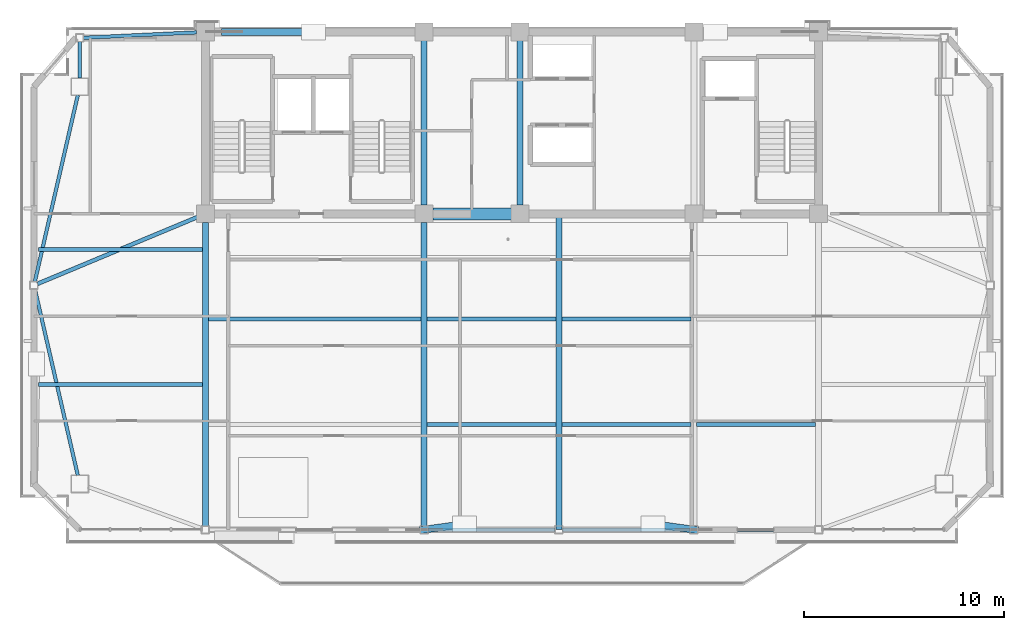
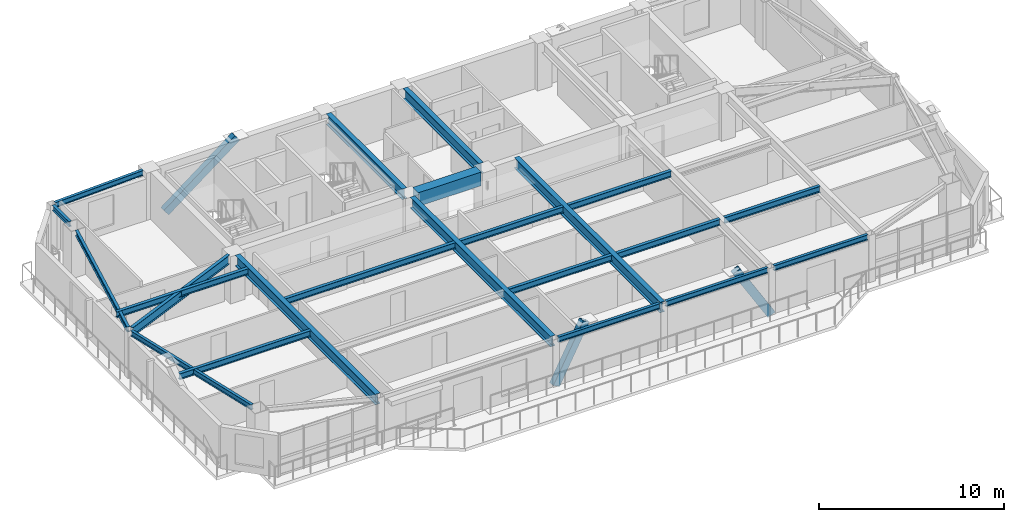
# One storey, part 3 of 13: 22 beams, 3 members.
"""IFC4 building model written with IfcOpenShell, lengths in metres."""

from ifc_helpers import new_model, si_unit, direction, frame, origin, origin_2d, place, context, subcontext, project, spatial, rectangle, hollow_rectangle, i_section, extrude, source, transform, mapped, material, material_profile, profile_set, type_object, element, save


model = new_model("IFC4")

# Units and contexts
model_context = context("Model", 3, precision=1e-05, world=origin(), true_north=direction((0.0, 1.0)))
body_context = subcontext(model_context, "Body", "Model", "MODEL_VIEW")
ifc_project = project(units=[si_unit("LENGTHUNIT", "METRE"), si_unit("AREAUNIT", "SQUARE_METRE"), si_unit("VOLUMEUNIT", "CUBIC_METRE"), si_unit("PLANEANGLEUNIT", "RADIAN"), si_unit("MASSUNIT", "GRAM", prefix="KILO")], contexts=[model_context])

# Site, building, storey
site_placement = place(None, origin())
site = spatial("IfcSite", under=ifc_project, at=site_placement, CompositionType="ELEMENT")
building_placement = place(site_placement, origin())
building = spatial("IfcBuilding", under=site, at=building_placement, Name="Giltprow Tower", CompositionType="ELEMENT")
storey_placement = place(building_placement, frame((0.0, 0.0, 324.39990234375)))
storey = spatial("IfcBuildingStorey", under=building, at=storey_placement, Name="L84", CompositionType="ELEMENT", Elevation=324.39990234375)

# Beams
ifc_material_1 = material(Name="Structural steel Q355B", Category="steel")
ifc_material_profile_1 = material_profile(ifc_material_1, i_section(OverallWidth=0.199951171875, OverallDepth=0.39990234375, WebThickness=0.008056640625, FlangeThickness=0.012939453125, at=origin_2d()), Name="HN 400x200x8x13")
ifc_profile_set_1 = profile_set([ifc_material_profile_1], Name="Structural steel Q355B")
beam_type_1 = type_object("IfcBeamType", Name="BM-JOIST-HN400", PredefinedType="JOIST", material=ifc_profile_set_1)
shared_shape_1 = source(origin(), body_context, "Body", "SweptSolid", [
    extrude(i_section(OverallWidth=0.199951171875, OverallDepth=0.39990234375, WebThickness=0.008056640625, FlangeThickness=0.012939453125, at=origin_2d()), origin(), (0.0, 0.0, 1.0), 10.659912109375),
])
beam_1_placement = place(storey_placement, frame((19.9951171875, 32.178955078125, 2.920166015625), z_axis=(1.0, 0.0, 0.0), x_axis=(0.0, 1.0, 0.0)))
element("IfcBeam", 1, at=beam_1_placement, inside=storey, type_object=beam_type_1, Name="L84 Composite Floor Joist 2-1", PredefinedType="JOIST", context=body_context, shape_type="MappedRepresentation", body=[
    mapped(shared_shape_1, transform((0.0, 0.0, 0.0), x_axis=(1.0, 0.0, 0.0), y_axis=(0.0, 1.0, 0.0), z_axis=(0.0, 0.0, 1.0), scale=1.0)),
])
shared_shape_2 = source(origin(), body_context, "Body", "SweptSolid", [
    extrude(i_section(OverallWidth=0.199951171875, OverallDepth=0.39990234375, WebThickness=0.008056640625, FlangeThickness=0.012939453125, at=origin_2d()), origin(), (0.0, 0.0, 1.0), 6.4599609375),
])
for number, where, z_axis, x_axis, name in (
    (2, (30.945068359375, 26.906982421875, 2.920166015625), (1.0, 0.0, 0.0), (0.0, 1.0, 0.0), "L84 Composite Floor Joist 1-2"),
    (3, (37.695068359375, 26.906982421875, 2.920166015625), (1.0, 0.0, 0.0), (0.0, 1.0, 0.0), "L84 Composite Floor Joist 1-3"),
    (4, (30.945068359375, 32.178955078125, 2.920166015625), (1.0, 0.0, 0.0), (0.0, 1.0, 0.0), "L84 Composite Floor Joist 2-2"),
    (5, (37.695068359375, 32.178955078125, 2.920166015625), (1.0, 0.0, 0.0), (0.0, 1.0, 0.0), "L84 Composite Floor Joist 2-3"),
):
    element("IfcBeam", number, at=place(storey_placement, frame(where, z_axis=z_axis, x_axis=x_axis)), inside=storey, type_object=beam_type_1, Name=name, PredefinedType="JOIST", context=body_context, shape_type="MappedRepresentation", body=[
        mapped(shared_shape_2, transform((0.0, 0.0, 0.0), x_axis=(1.0, 0.0, 0.0), y_axis=(0.0, 1.0, 0.0), z_axis=(0.0, 0.0, 1.0), scale=1.0)),
    ])
shared_shape_3 = source(origin(), body_context, "Body", "SweptSolid", [
    extrude(i_section(OverallWidth=0.199951171875, OverallDepth=0.39990234375, WebThickness=0.008056640625, FlangeThickness=0.012939453125, at=origin_2d()), origin(), (0.0, 0.0, 1.0), 5.9599609375),
])
beam_2_placement = place(storey_placement, frame((44.445068359375, 26.906982421875, 2.920166015625), z_axis=(1.0, 0.0, 0.0), x_axis=(0.0, 1.0, 0.0)))
element("IfcBeam", 6, at=beam_2_placement, inside=storey, type_object=beam_type_1, Name="L84 Composite Floor Joist 1-4", PredefinedType="JOIST", context=body_context, shape_type="MappedRepresentation", body=[
    mapped(shared_shape_3, transform((0.0, 0.0, 0.0), x_axis=(1.0, 0.0, 0.0), y_axis=(0.0, 1.0, 0.0), z_axis=(0.0, 0.0, 1.0), scale=1.0)),
])
ifc_material_2 = material(Name="Concrete C50", Category="concrete")
ifc_material_profile_2 = material_profile(ifc_material_2, rectangle(XDim=0.60009765625, YDim=0.89990234375, at=origin_2d()), Name="RC 900x600")
ifc_profile_set_2 = profile_set([ifc_material_profile_2], Name="Concrete C50")
beam_type_2 = type_object("IfcBeamType", Name="BM-CPL-RC900", PredefinedType="LINTEL", material=ifc_profile_set_2)
shared_shape_4 = source(origin(), body_context, "Body", "SweptSolid", [
    extrude(rectangle(XDim=0.60009765625, YDim=0.89990234375, at=origin_2d()), origin(), (0.0, 0.0, 1.0), 3.929931640625),
])
beam_3_placement = place(storey_placement, frame((31.235107421875, 37.449951171875, 2.670166015625), z_axis=(1.0, 0.0, 0.0), x_axis=(0.0, 1.0, 0.0)))
element("IfcBeam", 7, at=beam_3_placement, inside=storey, type_object=beam_type_2, Name="L84 Core Coupling Beam CB-1", PredefinedType="LINTEL", context=body_context, shape_type="MappedRepresentation", body=[
    mapped(shared_shape_4, transform((0.0, 0.0, 0.0), x_axis=(1.0, 0.0, 0.0), y_axis=(0.0, 1.0, 0.0), z_axis=(0.0, 0.0, 1.0), scale=1.0)),
])
ifc_material_profile_3 = material_profile(ifc_material_1, i_section(OverallWidth=0.300048828125, OverallDepth=0.699951171875, WebThickness=0.012939453125, FlangeThickness=0.02392578125, at=origin_2d()), Name="HN 700x300x13x24")
ifc_profile_set_3 = profile_set([ifc_material_profile_3], Name="Structural steel Q355B")
beam_type_3 = type_object("IfcBeamType", Name="BM-GIRD-HN700", PredefinedType="BEAM", material=ifc_profile_set_3)
shared_shape_5 = source(origin(), body_context, "Body", "SweptSolid", [
    extrude(i_section(OverallWidth=0.300048828125, OverallDepth=0.699951171875, WebThickness=0.012939453125, FlangeThickness=0.02392578125, at=origin_2d()), origin(), (0.0, 0.0, 1.0), 8.22998046875),
])
for number, where, z_axis, x_axis, name in (
    (8, (30.800048828125, 37.885009765625, 2.77001953125), (0.0, 1.0, 0.0), (-1.0, 0.0, 0.0), "L84 Core Tie Girder M1"),
    (9, (35.60009765625, 37.885009765625, 2.77001953125), (0.0, 1.0, 0.0), (-1.0, 0.0, 0.0), "L84 Core Tie Girder M2"),
):
    element("IfcBeam", number, at=place(storey_placement, frame(where, z_axis=z_axis, x_axis=x_axis)), inside=storey, type_object=beam_type_3, Name=name, PredefinedType="BEAM", context=body_context, shape_type="MappedRepresentation", body=[
        mapped(shared_shape_5, transform((0.0, 0.0, 0.0), x_axis=(1.0, 0.0, 0.0), y_axis=(0.0, 1.0, 0.0), z_axis=(0.0, 0.0, 1.0), scale=1.0)),
    ])
ifc_material_profile_4 = material_profile(ifc_material_1, i_section(OverallWidth=0.175048828125, OverallDepth=0.35009765625, WebThickness=0.007080078125, FlangeThickness=0.010986328125, at=origin_2d()), Name="HN 350x175x7x11")
ifc_profile_set_4 = profile_set([ifc_material_profile_4], Name="Structural steel Q355B")
beam_type_4 = type_object("IfcBeamType", Name="BM-SPAN-HN350", PredefinedType="SPANDREL", material=ifc_profile_set_4)
shared_shape_6 = source(origin(), body_context, "Body", "SweptSolid", [
    extrude(i_section(OverallWidth=0.175048828125, OverallDepth=0.35009765625, WebThickness=0.007080078125, FlangeThickness=0.010986328125, at=origin_2d()), origin(), (0.0, 0.0, 1.0), 6.3798828125),
])
for number, where, z_axis, x_axis, name in (
    (10, (30.985107421875, 21.635986328125, 2.945068359375), (1.0, 0.0, 0.0), (0.0, 1.0, 0.0), "L84 Perimeter Spandrel Beam S2-S_MID"),
    (11, (37.735107421875, 21.635986328125, 2.945068359375), (1.0, 0.0, 0.0), (0.0, 1.0, 0.0), "L84 Perimeter Spandrel Beam S_MID-S3"),
):
    element("IfcBeam", number, at=place(storey_placement, frame(where, z_axis=z_axis, x_axis=x_axis)), inside=storey, type_object=beam_type_4, Name=name, PredefinedType="SPANDREL", context=body_context, shape_type="MappedRepresentation", body=[
        mapped(shared_shape_6, transform((0.0, 0.0, 0.0), x_axis=(1.0, 0.0, 0.0), y_axis=(0.0, 1.0, 0.0), z_axis=(0.0, 0.0, 1.0), scale=1.0)),
    ])
shared_shape_7 = source(origin(), body_context, "Body", "SweptSolid", [
    extrude(i_section(OverallWidth=0.175048828125, OverallDepth=0.35009765625, WebThickness=0.007080078125, FlangeThickness=0.010986328125, at=origin_2d()), origin(), (0.0, 0.0, 1.0), 5.8798828125),
])
beam_4_placement = place(storey_placement, frame((44.485107421875, 21.635986328125, 2.945068359375), z_axis=(1.0, 0.0, 0.0), x_axis=(0.0, 1.0, 0.0)))
element("IfcBeam", 12, at=beam_4_placement, inside=storey, type_object=beam_type_4, Name="L84 Perimeter Spandrel Beam S3-S4", PredefinedType="SPANDREL", context=body_context, shape_type="MappedRepresentation", body=[
    mapped(shared_shape_7, transform((0.0, 0.0, 0.0), x_axis=(1.0, 0.0, 0.0), y_axis=(0.0, 1.0, 0.0), z_axis=(0.0, 0.0, 1.0), scale=1.0)),
])
shared_shape_8 = source(origin(), body_context, "Body", "SweptSolid", [
    extrude(i_section(OverallWidth=0.175048828125, OverallDepth=0.35009765625, WebThickness=0.007080078125, FlangeThickness=0.010986328125, at=origin_2d()), origin(), (0.0, 0.0, 1.0), 9.580810546875),
])
for number, where, z_axis, x_axis, name in (
    (13, (13.464111328125, 43.384033203125, 2.945068359375), (-0.224626866527, -0.974444852639, 0.0), (0.974444852639, -0.224626866527, 0.0), "L84 Perimeter Spandrel Beam MC_NW-W_MID"),
    (14, (11.31201171875, 33.68798828125, 2.945068359375), (0.224626866527, -0.974444852639, 0.0), (0.974444852639, 0.224626866527, 0.0), "L84 Perimeter Spandrel Beam W_MID-MC_SW"),
):
    element("IfcBeam", number, at=place(storey_placement, frame(where, z_axis=z_axis, x_axis=x_axis)), inside=storey, type_object=beam_type_4, Name=name, PredefinedType="SPANDREL", context=body_context, shape_type="MappedRepresentation", body=[
        mapped(shared_shape_8, transform((0.0, 0.0, 0.0), x_axis=(1.0, 0.0, 0.0), y_axis=(0.0, 1.0, 0.0), z_axis=(0.0, 0.0, 1.0), scale=1.0)),
    ])
shared_shape_9 = source(origin(), body_context, "Body", "SweptSolid", [
    extrude(i_section(OverallWidth=0.175048828125, OverallDepth=0.35009765625, WebThickness=0.007080078125, FlangeThickness=0.010986328125, at=origin_2d()), origin(), (0.0, 0.0, 1.0), 1.822021484375),
])
beam_5_placement = place(storey_placement, frame((13.56201171875, 46.06494140625, 2.945068359375), z_axis=(0.0, -1.0, 0.0), x_axis=(1.0, 0.0, 0.0)))
element("IfcBeam", 15, at=beam_5_placement, inside=storey, type_object=beam_type_4, Name="L84 Perimeter Spandrel Beam N_W-MC_NW", PredefinedType="SPANDREL", context=body_context, shape_type="MappedRepresentation", body=[
    mapped(shared_shape_9, transform((0.0, 0.0, 0.0), x_axis=(1.0, 0.0, 0.0), y_axis=(0.0, 1.0, 0.0), z_axis=(0.0, 0.0, 1.0), scale=1.0)),
])
shared_shape_10 = source(origin(), body_context, "Body", "SweptSolid", [
    extrude(i_section(OverallWidth=0.175048828125, OverallDepth=0.35009765625, WebThickness=0.007080078125, FlangeThickness=0.010986328125, at=origin_2d()), origin(), (0.0, 0.0, 1.0), 5.67431640625),
])
beam_6_placement = place(storey_placement, frame((13.7470703125, 46.259033203125, 2.945068359375), z_axis=(0.9988671641, 0.047585591122, 0.0), x_axis=(-0.047585591122, 0.9988671641, 0.0)))
element("IfcBeam", 16, at=beam_6_placement, inside=storey, type_object=beam_type_4, Name="L84 North Wing Spandrel W", PredefinedType="SPANDREL", context=body_context, shape_type="MappedRepresentation", body=[
    mapped(shared_shape_10, transform((0.0, 0.0, 0.0), x_axis=(1.0, 0.0, 0.0), y_axis=(0.0, 1.0, 0.0), z_axis=(0.0, 0.0, 1.0), scale=1.0)),
])
shared_shape_11 = source(origin(), body_context, "Body", "SweptSolid", [
    extrude(i_section(OverallWidth=0.300048828125, OverallDepth=0.699951171875, WebThickness=0.012939453125, FlangeThickness=0.02392578125, at=origin_2d()), origin(), (0.0, 0.0, 1.0), 15.19384765625),
])
for number, where, z_axis, x_axis, name in (
    (17, (19.85009765625, 21.821044921875, 2.77001953125), (0.0, 1.0, 0.0), (-1.0, 0.0, 0.0), "L84 Primary Lease Girder S1"),
    (18, (30.800048828125, 21.821044921875, 2.77001953125), (0.0, 1.0, 0.0), (-1.0, 0.0, 0.0), "L84 Primary Lease Girder S2"),
):
    element("IfcBeam", number, at=place(storey_placement, frame(where, z_axis=z_axis, x_axis=x_axis)), inside=storey, type_object=beam_type_3, Name=name, PredefinedType="BEAM", context=body_context, shape_type="MappedRepresentation", body=[
        mapped(shared_shape_11, transform((0.0, 0.0, 0.0), x_axis=(1.0, 0.0, 0.0), y_axis=(0.0, 1.0, 0.0), z_axis=(0.0, 0.0, 1.0), scale=1.0)),
    ])
shared_shape_12 = source(origin(), body_context, "Body", "SweptSolid", [
    extrude(i_section(OverallWidth=0.300048828125, OverallDepth=0.699951171875, WebThickness=0.012939453125, FlangeThickness=0.02392578125, at=origin_2d()), origin(), (0.0, 0.0, 1.0), 15.81396484375),
])
beam_7_placement = place(storey_placement, frame((37.550048828125, 21.635986328125, 2.77001953125), z_axis=(0.0, 1.0, 0.0), x_axis=(-1.0, 0.0, 0.0)))
element("IfcBeam", 19, at=beam_7_placement, inside=storey, type_object=beam_type_3, Name="L84 Central Lease Girder SMID", PredefinedType="BEAM", context=body_context, shape_type="MappedRepresentation", body=[
    mapped(shared_shape_12, transform((0.0, 0.0, 0.0), x_axis=(1.0, 0.0, 0.0), y_axis=(0.0, 1.0, 0.0), z_axis=(0.0, 0.0, 1.0), scale=1.0)),
])
ifc_material_profile_5 = material_profile(ifc_material_1, i_section(OverallWidth=0.199951171875, OverallDepth=0.60009765625, WebThickness=0.010986328125, FlangeThickness=0.01708984375, at=origin_2d()), Name="HN 600x200x11x17")
ifc_profile_set_5 = profile_set([ifc_material_profile_5], Name="Structural steel Q355B")
beam_type_5 = type_object("IfcBeamType", Name="BM-GIRD-HN600", PredefinedType="BEAM", material=ifc_profile_set_5)
shared_shape_13 = source(origin(), body_context, "Body", "SweptSolid", [
    extrude(i_section(OverallWidth=0.199951171875, OverallDepth=0.60009765625, WebThickness=0.010986328125, FlangeThickness=0.01708984375, at=origin_2d()), origin(), (0.0, 0.0, 1.0), 8.677734375),
])
beam_8_placement = place(storey_placement, frame((11.44091796875, 33.93896484375, 2.820068359375), z_axis=(0.922817849447, 0.385236572436, 0.0), x_axis=(-0.385236572436, 0.922817849447, 0.0)))
element("IfcBeam", 20, at=beam_8_placement, inside=storey, type_object=beam_type_5, Name="L84 West Wing Primary Girder", PredefinedType="BEAM", context=body_context, shape_type="MappedRepresentation", body=[
    mapped(shared_shape_13, transform((0.0, 0.0, 0.0), x_axis=(1.0, 0.0, 0.0), y_axis=(0.0, 1.0, 0.0), z_axis=(0.0, 0.0, 1.0), scale=1.0)),
])
shared_shape_14 = source(origin(), body_context, "Body", "SweptSolid", [
    extrude(i_section(OverallWidth=0.199951171875, OverallDepth=0.39990234375, WebThickness=0.008056640625, FlangeThickness=0.012939453125, at=origin_2d()), origin(), (0.0, 0.0, 1.0), 8.215087890625),
])
for number, where, z_axis, x_axis, name in (
    (21, (11.489990234375, 28.89794921875, 2.920166015625), (1.0, 0.0, 0.0), (0.0, 1.0, 0.0), "L84 West Wing Floor Joist 1"),
    (22, (11.489990234375, 35.658935546875, 2.920166015625), (1.0, 0.0, 0.0), (0.0, 1.0, 0.0), "L84 West Wing Floor Joist 2"),
):
    element("IfcBeam", number, at=place(storey_placement, frame(where, z_axis=z_axis, x_axis=x_axis)), inside=storey, type_object=beam_type_1, Name=name, PredefinedType="JOIST", context=body_context, shape_type="MappedRepresentation", body=[
        mapped(shared_shape_14, transform((0.0, 0.0, 0.0), x_axis=(1.0, 0.0, 0.0), y_axis=(0.0, 1.0, 0.0), z_axis=(0.0, 0.0, 1.0), scale=1.0)),
    ])

# Members
ifc_material_3 = material(Name="Structural steel Q420GJC", Category="steel")
ifc_material_profile_6 = material_profile(ifc_material_3, hollow_rectangle(XDim=0.35009765625, YDim=0.5, WallThickness=0.02392578125, at=origin_2d()), Name="RHS 500x350x24")
ifc_profile_set_6 = profile_set([ifc_material_profile_6], Name="Structural steel Q420GJC")
member_type = type_object("IfcMemberType", Name="MBR-MEGA-RHS500", PredefinedType="BRACE", material=ifc_profile_set_6)
shared_shape_15 = source(origin(), body_context, "Body", "SweptSolid", [
    extrude(hollow_rectangle(XDim=0.35009765625, YDim=0.5, WallThickness=0.02392578125, at=origin_2d()), origin(), (0.0, 0.0, 1.0), 3.970458984375),
])
for number, where, z_axis, x_axis, name in (
    (23, (30.800048828125, 21.635986328125, 0.0), (0.511531626724, 0.07052852216, 0.856365063756), (-0.136585012765, 0.990628353263, 0.0), "L84 Chevron Mega-Brace S-L"),
    (24, (44.300048828125, 21.635986328125, 0.0), (-0.511531626724, 0.07052852216, 0.856365063756), (-0.136585012765, -0.990628353263, 0.0), "L84 Chevron Mega-Brace S-R"),
):
    element("IfcMember", number, at=place(storey_placement, frame(where, z_axis=z_axis, x_axis=x_axis)), inside=storey, type_object=member_type, Name=name, PredefinedType="BRACE", context=body_context, shape_type="MappedRepresentation", body=[
        mapped(shared_shape_15, transform((0.0, 0.0, 0.0), x_axis=(1.0, 0.0, 0.0), y_axis=(0.0, 1.0, 0.0), z_axis=(0.0, 0.0, 1.0), scale=1.0)),
    ])
shared_shape_16 = source(origin(), body_context, "Body", "SweptSolid", [
    extrude(hollow_rectangle(XDim=0.35009765625, YDim=0.5, WallThickness=0.02392578125, at=origin_2d()), origin(), (0.0, 0.0, 1.0), 5.6025390625),
])
member_placement = place(storey_placement, frame((20.800048828125, 46.550048828125, -0.139892578125), z_axis=(0.794809087367, 0.0, 0.606859550999), x_axis=(0.0, 1.0, 0.0)))
element("IfcMember", 25, at=member_placement, inside=storey, type_object=member_type, Name="L84 Chevron Mega-Brace N-L", PredefinedType="BRACE", context=body_context, shape_type="MappedRepresentation", body=[
    mapped(shared_shape_16, transform((0.0, 0.0, 0.0), x_axis=(1.0, 0.0, 0.0), y_axis=(0.0, 1.0, 0.0), z_axis=(0.0, 0.0, 1.0), scale=1.0)),
])

save(model, "model.ifc")
